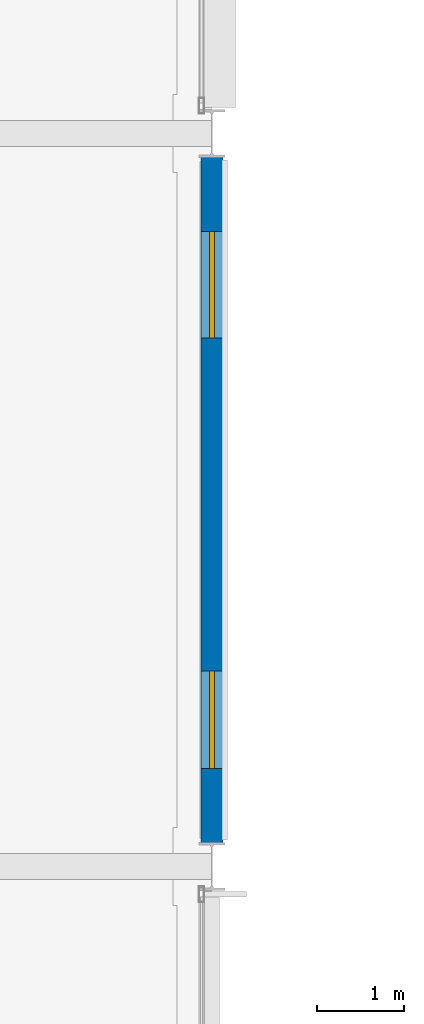
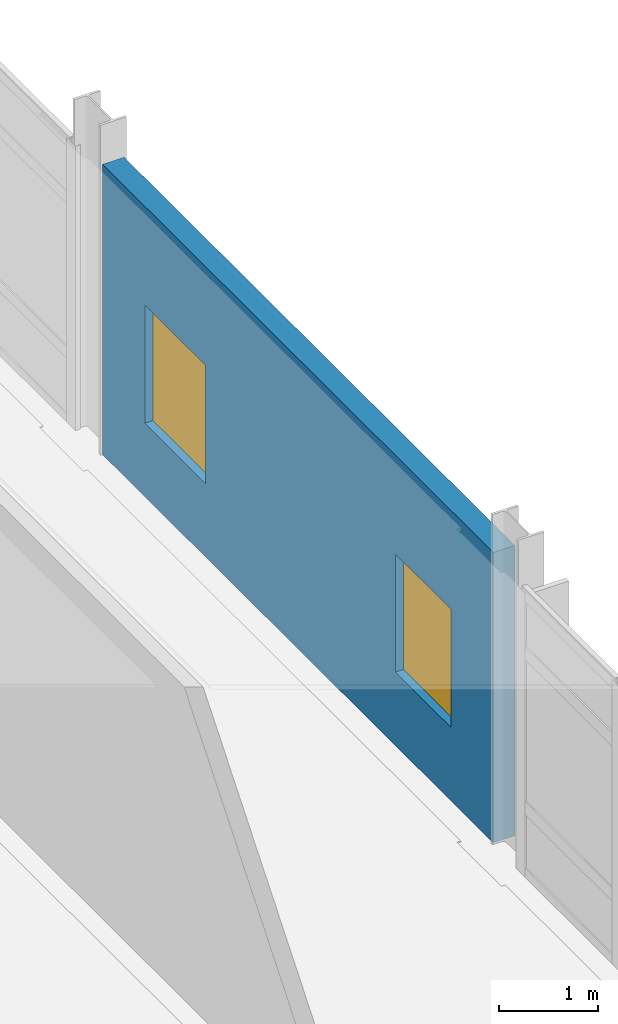
# One storey, part 123 of 151: 2 windows, 1 wall, 2 openings.
"""IFC4 building model written with IfcOpenShell, lengths in metres."""

from ifc_helpers import new_model, si_unit, direction, frame, frame_2d, origin, place, context, subcontext, project, spatial, rectangle, extrude, material, layer, layer_set, type_object, element, fill, save


model = new_model("IFC4")

# Units and contexts
model_context = context("Model", 3, precision=1e-05, world=origin(), true_north=direction((0.0, 1.0)))
body_context = subcontext(model_context, "Body", "Model", "MODEL_VIEW")
ifc_project = project(units=[si_unit("LENGTHUNIT", "METRE"), si_unit("AREAUNIT", "SQUARE_METRE"), si_unit("VOLUMEUNIT", "CUBIC_METRE"), si_unit("PLANEANGLEUNIT", "RADIAN"), si_unit("MASSUNIT", "GRAM", prefix="KILO")], contexts=[model_context])

# Site, building, storey
site_placement = place(None, origin())
site = spatial("IfcSite", under=ifc_project, at=site_placement, CompositionType="ELEMENT")
building_placement = place(site_placement, origin())
building = spatial("IfcBuilding", under=site, at=building_placement, Name="Mersafa Astral City Hall", CompositionType="ELEMENT")
storey_placement = place(building_placement, frame((0.0, 0.0, 9.89990234375)))
storey = spatial("IfcBuildingStorey", under=building, at=storey_placement, Name="L02", CompositionType="ELEMENT", Elevation=9.89990234375)

# Wall, openings, windows
ifc_material_1 = material(Name="Precast concrete C40/50 insulated terracotta spandrel", Category="masonry")
ifc_layer = layer(ifc_material_1, 0.25, Name="Precast concrete C40/50 insulated terracotta spandrel")
ifc_layer_set = layer_set([ifc_layer], Name="Precast concrete C40/50 insulated terracotta spandrel — ENV-WAL-EXT-250")
wall_type = type_object("IfcWallType", Name="ENV-WAL-EXT-250", PredefinedType="STANDARD", material=ifc_layer_set)
wall_placement = place(storey_placement, frame((117.60009765625, 59.071044921875, 0.0), z_axis=(0.0, 0.0, 1.0), x_axis=(0.0, 1.0, 0.0)))
wall = element("IfcWall", 1, at=wall_placement, inside=storey, type_object=wall_type, Name="L02 Limestone-clad exterior wall 172", PredefinedType="STANDARD", context=body_context, shape_type="SweptSolid", body=[
    extrude(rectangle(XDim=7.85791015625, YDim=0.25, at=frame_2d((3.928955078125, 0.0))), origin(), (0.0, 0.0, 1.0), 3.56201171875),
])
opening_1_placement = place(wall_placement, frame((0.85009765625, 0.0, 0.89990234375)))
opening_1 = element("IfcOpeningElement", 2, at=opening_1_placement, cuts=wall, Name="Opening W-22", PredefinedType="OPENING", context=body_context, shape_type="SweptSolid", body=[
    extrude(rectangle(XDim=1.1201171875, YDim=1.449951171875, at=frame_2d((0.56005859375, 0.72509765625))), frame((0.0, 0.135009765625, 0.0), z_axis=(0.0, -1.0, 0.0), x_axis=(1.0, 0.0, 0.0)), (0.0, 0.0, 1.0), 0.27001953125),
])
opening_2_placement = place(wall_placement, frame((5.7880859375, 0.0, 0.89990234375)))
opening_2 = element("IfcOpeningElement", 3, at=opening_2_placement, cuts=wall, Name="Opening W-23", PredefinedType="OPENING", context=body_context, shape_type="SweptSolid", body=[
    extrude(rectangle(XDim=1.219970703125, YDim=1.449951171875, at=frame_2d((0.60986328125, 0.72509765625))), frame((0.0, 0.135009765625, 0.0), z_axis=(0.0, -1.0, 0.0), x_axis=(1.0, 0.0, 0.0)), (0.0, 0.0, 1.0), 0.27001953125),
])
ifc_material_2 = material(Name="Solar control low-e double glazing in bronze frame", Category="glass")
window_type_1 = type_object("IfcWindowType", Name="ENV-WIN-W-22", PartitioningType="SINGLE_PANEL", PredefinedType="WINDOW", material=ifc_material_2)
window_1_placement = place(opening_1_placement, origin())
window_1 = element("IfcWindow", 4, at=window_1_placement, inside=storey, type_object=window_type_1, Name="L02 Solar punched window 172-L", OverallHeight=1.449951171875, OverallWidth=1.1201171875, PartitioningType="SINGLE_PANEL", PredefinedType="WINDOW", context=body_context, shape_type="SweptSolid", body=[
    extrude(rectangle(XDim=1.1201171875, YDim=1.449951171875, at=frame_2d((0.56005859375, 0.72509765625))), frame((0.0, 0.030029296875, 0.0), z_axis=(0.0, -1.0, 0.0), x_axis=(1.0, 0.0, 0.0)), (0.0, 0.0, 1.0), 0.06005859375),
])
fill(opening_1, window_1)
window_type_2 = type_object("IfcWindowType", Name="ENV-WIN-W-23", PartitioningType="SINGLE_PANEL", PredefinedType="WINDOW", material=ifc_material_2)
window_2_placement = place(opening_2_placement, origin())
window_2 = element("IfcWindow", 5, at=window_2_placement, inside=storey, type_object=window_type_2, Name="L02 Solar punched window 172-R", OverallHeight=1.449951171875, OverallWidth=1.219970703125, PartitioningType="SINGLE_PANEL", PredefinedType="WINDOW", context=body_context, shape_type="SweptSolid", body=[
    extrude(rectangle(XDim=1.219970703125, YDim=1.449951171875, at=frame_2d((0.60986328125, 0.72509765625))), frame((0.0, 0.030029296875, 0.0), z_axis=(0.0, -1.0, 0.0), x_axis=(1.0, 0.0, 0.0)), (0.0, 0.0, 1.0), 0.06005859375),
])
fill(opening_2, window_2)

save(model, "model.ifc")
